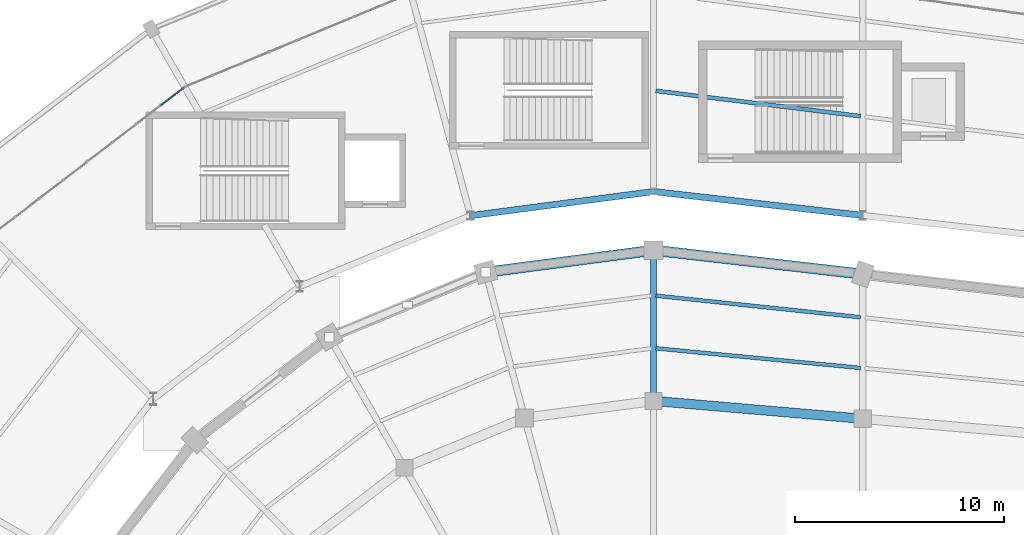
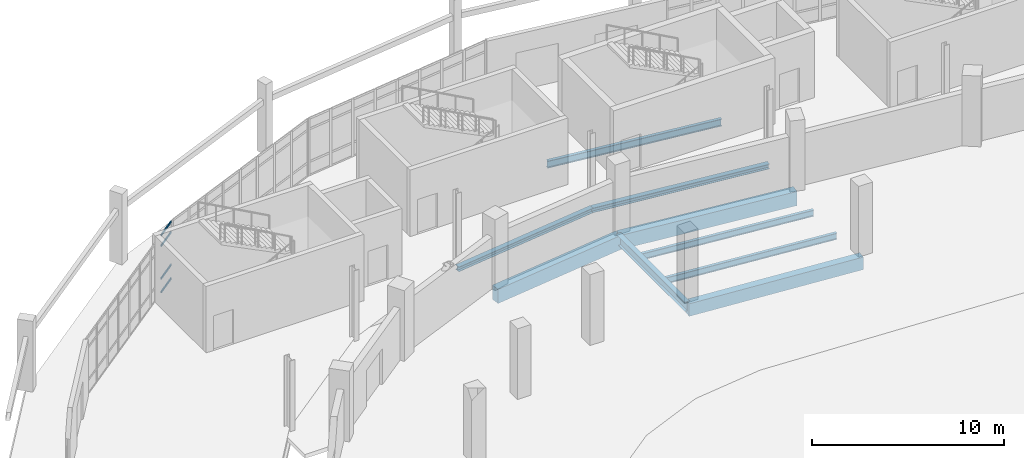
# One storey, part 56 of 122: 9 beams, 4 members, 1 element without a shape of its own.
"""IFC4 building model written with IfcOpenShell, lengths in metres."""

from ifc_helpers import new_model, si_unit, direction, frame, origin, origin_2d, place, context, subcontext, project, spatial, rectangle, i_section, extrude, material, layer, layer_set, material_profile, profile_set, type_object, element, aggregate, save


model = new_model("IFC4")

# Units and contexts
model_context = context("Model", 3, precision=1e-05, world=origin(), true_north=direction((0.0, 1.0)))
body_context = subcontext(model_context, "Body", "Model", "MODEL_VIEW")
ifc_project = project(units=[si_unit("LENGTHUNIT", "METRE"), si_unit("AREAUNIT", "SQUARE_METRE"), si_unit("VOLUMEUNIT", "CUBIC_METRE"), si_unit("PLANEANGLEUNIT", "RADIAN"), si_unit("MASSUNIT", "GRAM", prefix="KILO")], contexts=[model_context])

# Site, building, storey
site_placement = place(None, origin())
site = spatial("IfcSite", under=ifc_project, at=site_placement, CompositionType="ELEMENT")
building_placement = place(site_placement, origin())
building = spatial("IfcBuilding", under=site, at=building_placement, Name="Sohan Crest Arena", CompositionType="ELEMENT")
storey_placement = place(building_placement, origin())
storey = spatial("IfcBuildingStorey", under=building, at=storey_placement, Name="L00", CompositionType="ELEMENT", Elevation=0.0)

# Curtain wall, members
ifc_material_1 = material(Name="Thermally broken anodised aluminium", Category="aluminium")
ifc_layer = layer(ifc_material_1, 0.179931640625, Name="Thermally broken anodised aluminium")
ifc_layer_set = layer_set([ifc_layer], Name="Thermally broken anodised aluminium")
curtain_wall_type = type_object("IfcCurtainWallType", Name="ARC-CW01", PredefinedType="NOTDEFINED", material=ifc_layer_set)
curtain_wall_placement = place(storey_placement, origin())
curtain_wall = element("IfcCurtainWall", 1, at=curtain_wall_placement, inside=storey, type_object=curtain_wall_type, Name="Unitised curtain wall CW-003", PredefinedType="NOTDEFINED")
ifc_material_profile_1 = material_profile(ifc_material_1, rectangle(XDim=0.06005859375, YDim=0.1201171875, at=origin_2d()), Name="ALU-TRAN 60x120")
ifc_profile_set_1 = profile_set([ifc_material_profile_1], Name="Thermally broken anodised aluminium")
member_type = type_object("IfcMemberType", Name="ARC-CW-TR01", PredefinedType="USERDEFINED", material=ifc_profile_set_1)
member_1_placement = place(storey_placement, frame((75.552490234375, 116.761474609375, 0.030029296875), z_axis=(-0.793331312745, -0.608790134791, 0.0), x_axis=(0.608790134791, -0.793331312745, 0.0)))
member_1 = element("IfcMember", 2, at=member_1_placement, type_object=member_type, Name="CW-003 transom 1.1", ObjectType="TRANSOM", PredefinedType="USERDEFINED", context=body_context, shape_type="SweptSolid", body=[
    extrude(rectangle(XDim=0.06005859375, YDim=0.1201171875, at=origin_2d()), origin(), (0.0, 0.0, 1.0), 1.371826171875),
])
member_2_placement = place(storey_placement, frame((75.552490234375, 116.761474609375, 0.89990234375), z_axis=(-0.793331312745, -0.608790134791, 0.0), x_axis=(0.608790134791, -0.793331312745, 0.0)))
member_2 = element("IfcMember", 3, at=member_2_placement, type_object=member_type, Name="CW-003 transom 1.2", ObjectType="TRANSOM", PredefinedType="USERDEFINED", context=body_context, shape_type="SweptSolid", body=[
    extrude(rectangle(XDim=0.06005859375, YDim=0.1201171875, at=origin_2d()), origin(), (0.0, 0.0, 1.0), 1.371826171875),
])
member_3_placement = place(storey_placement, frame((75.552490234375, 116.761474609375, 2.97998046875), z_axis=(-0.793331312745, -0.608790134791, 0.0), x_axis=(0.608790134791, -0.793331312745, 0.0)))
member_3 = element("IfcMember", 4, at=member_3_placement, type_object=member_type, Name="CW-003 transom 1.3", ObjectType="TRANSOM", PredefinedType="USERDEFINED", context=body_context, shape_type="SweptSolid", body=[
    extrude(rectangle(XDim=0.06005859375, YDim=0.1201171875, at=origin_2d()), origin(), (0.0, 0.0, 1.0), 1.371826171875),
])
member_4_placement = place(storey_placement, frame((75.552490234375, 116.761474609375, 3.64990234375), z_axis=(-0.793331312745, -0.608790134791, 0.0), x_axis=(0.608790134791, -0.793331312745, 0.0)))
member_4 = element("IfcMember", 5, at=member_4_placement, type_object=member_type, Name="CW-003 transom 1.4", ObjectType="TRANSOM", PredefinedType="USERDEFINED", context=body_context, shape_type="SweptSolid", body=[
    extrude(rectangle(XDim=0.06005859375, YDim=0.1201171875, at=origin_2d()), origin(), (0.0, 0.0, 1.0), 1.371826171875),
])
aggregate(curtain_wall, [member_1, member_2, member_3, member_4])

# Beams
ifc_material_2 = material(Name="Steel S355", Category="steel")
ifc_material_profile_2 = material_profile(ifc_material_2, i_section(OverallWidth=0.179931640625, OverallDepth=0.39990234375, WebThickness=0.008544921875, FlangeThickness=0.013427734375, at=origin_2d()), Name="IPE 400")
ifc_profile_set_2 = profile_set([ifc_material_profile_2], Name="Steel S355")
beam_type_1 = type_object("IfcBeamType", Name="STR-BM-B03", PredefinedType="JOIST", material=ifc_profile_set_2)
beam_1_placement = place(storey_placement, frame((107.89111328125, 103.373046875, -0.449951171875), z_axis=(-0.995443739336, 0.095350730547, 0.0), x_axis=(-0.095350730547, -0.995443739336, 0.0)))
element("IfcBeam", 6, at=beam_1_placement, inside=storey, type_object=beam_type_1, Name="Structural beam J-L00-0794", PredefinedType="JOIST", context=body_context, shape_type="SweptSolid", body=[
    extrude(i_section(OverallWidth=0.179931640625, OverallDepth=0.39990234375, WebThickness=0.008544921875, FlangeThickness=0.013427734375, at=origin_2d()), origin(), (0.0, 0.0, 1.0), 9.826904296875),
])
beam_2_placement = place(storey_placement, frame((107.89111328125, 105.794921875, -0.449951171875), z_axis=(-0.994470991784, 0.105011649352, 0.0), x_axis=(-0.105011649352, -0.994470991784, 0.0)))
element("IfcBeam", 7, at=beam_2_placement, inside=storey, type_object=beam_type_1, Name="Structural beam J-L00-0795", PredefinedType="JOIST", context=body_context, shape_type="SweptSolid", body=[
    extrude(i_section(OverallWidth=0.179931640625, OverallDepth=0.39990234375, WebThickness=0.008544921875, FlangeThickness=0.013427734375, at=origin_2d()), origin(), (0.0, 0.0, 1.0), 9.836669921875),
])
ifc_material_profile_3 = material_profile(ifc_material_2, i_section(OverallWidth=0.18994140625, OverallDepth=0.449951171875, WebThickness=0.009521484375, FlangeThickness=0.0146484375, at=origin_2d()), Name="IPE 450")
ifc_profile_set_3 = profile_set([ifc_material_profile_3], Name="Steel S355")
beam_type_2 = type_object("IfcBeamType", Name="STR-BM-B04", PredefinedType="JOIST", material=ifc_profile_set_3)
beam_3_placement = place(storey_placement, frame((107.89111328125, 115.402099609375, -0.5), z_axis=(-0.992412936892, 0.122949431435, 0.0), x_axis=(-0.122949431435, -0.992412936892, 0.0)))
element("IfcBeam", 8, at=beam_3_placement, inside=storey, type_object=beam_type_2, Name="Structural beam J-L00-1089", PredefinedType="JOIST", context=body_context, shape_type="SweptSolid", body=[
    extrude(i_section(OverallWidth=0.18994140625, OverallDepth=0.449951171875, WebThickness=0.009521484375, FlangeThickness=0.0146484375, at=origin_2d()), origin(), (0.0, 0.0, 1.0), 9.85693359375),
])
ifc_material_profile_4 = material_profile(ifc_material_2, i_section(OverallWidth=0.300048828125, OverallDepth=0.590087890625, WebThickness=0.012939453125, FlangeThickness=0.02490234375, at=origin_2d()), Name="HEA 600")
ifc_profile_set_4 = profile_set([ifc_material_profile_4], Name="Steel S355")
beam_type_3 = type_object("IfcBeamType", Name="STR-BM-B11", PredefinedType="BEAM", material=ifc_profile_set_4)
beam_4_placement = place(storey_placement, frame((98.0, 101.800048828125, -0.544921875), z_axis=(0.0, 1.0, 0.0), x_axis=(-1.0, 0.0, 0.0)))
element("IfcBeam", 9, at=beam_4_placement, inside=storey, type_object=beam_type_3, Name="Structural beam G-L00-0061", PredefinedType="BEAM", context=body_context, shape_type="SweptSolid", body=[
    extrude(i_section(OverallWidth=0.300048828125, OverallDepth=0.590087890625, WebThickness=0.012939453125, FlangeThickness=0.02490234375, at=origin_2d()), origin(), (0.0, 0.0, 1.0), 7.199951171875),
])
ifc_material_profile_5 = material_profile(ifc_material_2, i_section(OverallWidth=0.300048828125, OverallDepth=0.300048828125, WebThickness=0.010986328125, FlangeThickness=0.01904296875, at=origin_2d()), Name="HEB 300")
ifc_profile_set_5 = profile_set([ifc_material_profile_5], Name="Steel S355")
beam_type_4 = type_object("IfcBeamType", Name="STR-BM-B12", PredefinedType="BEAM", material=ifc_profile_set_5)
beam_5_placement = place(storey_placement, frame((98.0, 111.800048828125, -0.425048828125), z_axis=(-0.991439032147, -0.130570461953, 0.0), x_axis=(0.130570461953, -0.991439032147, 0.0)))
element("IfcBeam", 10, at=beam_5_placement, inside=storey, type_object=beam_type_4, Name="Structural beam G-L00-0902", PredefinedType="BEAM", context=body_context, shape_type="SweptSolid", body=[
    extrude(i_section(OverallWidth=0.300048828125, OverallDepth=0.300048828125, WebThickness=0.010986328125, FlangeThickness=0.01904296875, at=origin_2d()), origin(), (0.0, 0.0, 1.0), 8.823486328125),
])
beam_6_placement = place(storey_placement, frame((108.0, 110.656982421875, -0.425048828125), z_axis=(-0.99353032697, 0.113567114035, 0.0), x_axis=(-0.113567114035, -0.99353032697, 0.0)))
element("IfcBeam", 11, at=beam_6_placement, inside=storey, type_object=beam_type_4, Name="Structural beam G-L00-1086", PredefinedType="BEAM", context=body_context, shape_type="SweptSolid", body=[
    extrude(i_section(OverallWidth=0.300048828125, OverallDepth=0.300048828125, WebThickness=0.010986328125, FlangeThickness=0.01904296875, at=origin_2d()), origin(), (0.0, 0.0, 1.0), 10.065185546875),
])
ifc_material_3 = material(Name="Concrete C40/50", Category="concrete")
ifc_material_profile_6 = material_profile(ifc_material_3, rectangle(XDim=0.449951171875, YDim=0.800048828125, at=origin_2d()), Name="RC-BM 450x800")
ifc_profile_set_6 = profile_set([ifc_material_profile_6], Name="Concrete C40/50")
beam_type_5 = type_object("IfcBeamType", Name="STR-BM-TB02", PredefinedType="BEAM", material=ifc_profile_set_6)
beam_7_placement = place(storey_placement, frame((108.0, 100.943115234375, -0.64990234375), z_axis=(-0.996348422929, 0.085380443469, 0.0), x_axis=(-0.085380443469, -0.996348422929, 0.0)))
element("IfcBeam", 12, at=beam_7_placement, inside=storey, type_object=beam_type_5, Name="Structural beam TB-L00-0791", PredefinedType="BEAM", context=body_context, shape_type="SweptSolid", body=[
    extrude(rectangle(XDim=0.449951171875, YDim=0.800048828125, at=origin_2d()), origin(), (0.0, 0.0, 1.0), 10.03662109375),
])
ifc_material_profile_7 = material_profile(ifc_material_3, rectangle(XDim=0.5, YDim=0.89990234375, at=origin_2d()), Name="RC-BM 500x900")
ifc_profile_set_7 = profile_set([ifc_material_profile_7], Name="Concrete C40/50")
beam_type_6 = type_object("IfcBeamType", Name="STR-BM-TB03", PredefinedType="BEAM", material=ifc_profile_set_7)
beam_8_placement = place(storey_placement, frame((98.0, 109.0, -0.699951171875), z_axis=(-0.99145018748, -0.130485730048, 0.0), x_axis=(0.130485730048, -0.99145018748, 0.0)))
element("IfcBeam", 13, at=beam_8_placement, inside=storey, type_object=beam_type_6, Name="Structural beam TB-L00-0060", PredefinedType="BEAM", context=body_context, shape_type="SweptSolid", body=[
    extrude(rectangle(XDim=0.5, YDim=0.89990234375, at=origin_2d()), origin(), (0.0, 0.0, 1.0), 8.092041015625),
])
beam_9_placement = place(storey_placement, frame((108.0, 107.85693359375, -0.699951171875), z_axis=(-0.99353032697, 0.113567114035, 0.0), x_axis=(-0.113567114035, -0.99353032697, 0.0)))
element("IfcBeam", 14, at=beam_9_placement, inside=storey, type_object=beam_type_6, Name="Structural beam TB-L00-0792", PredefinedType="BEAM", context=body_context, shape_type="SweptSolid", body=[
    extrude(rectangle(XDim=0.5, YDim=0.89990234375, at=origin_2d()), origin(), (0.0, 0.0, 1.0), 10.065185546875),
])

save(model, "model.ifc")
